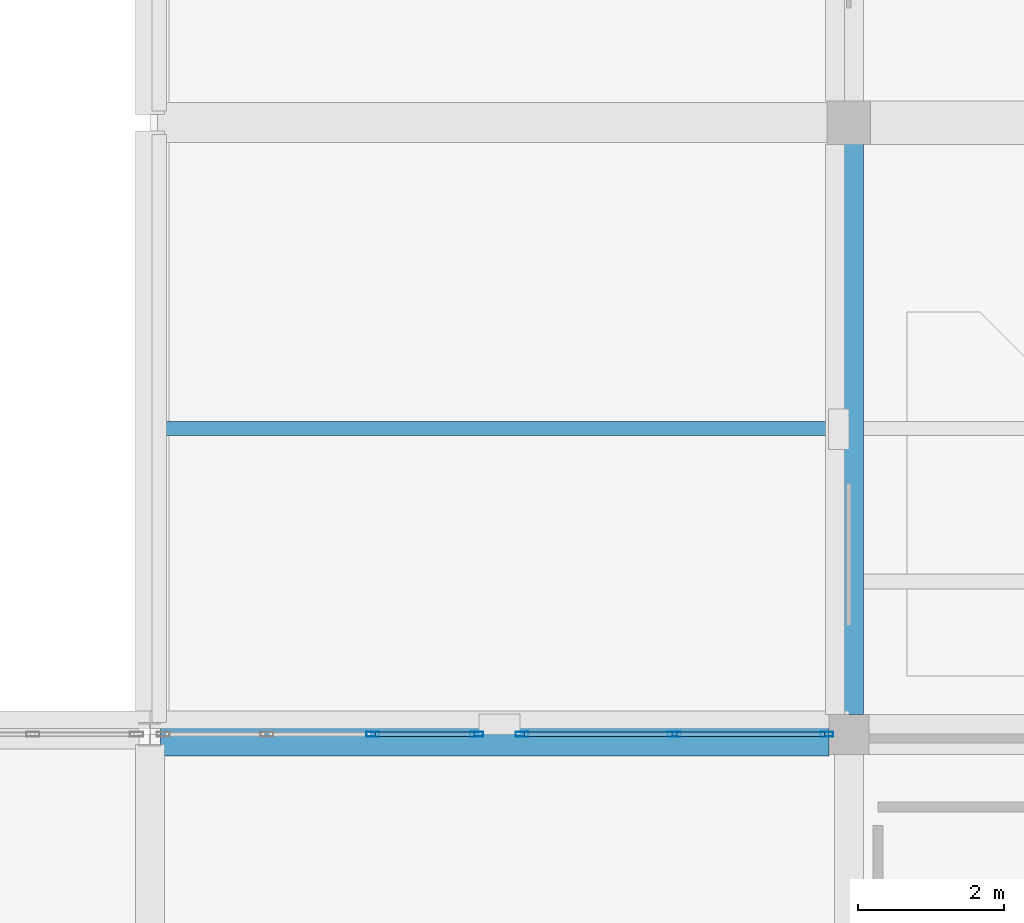
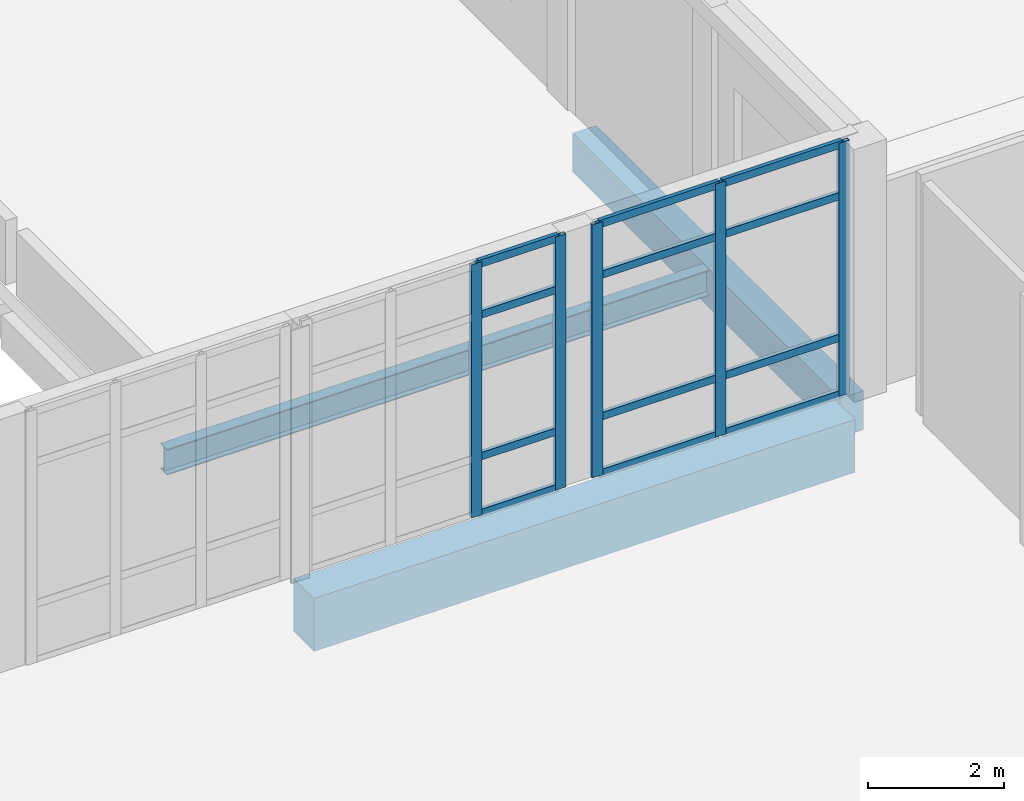
# One storey, part 19 of 88: 17 members, 3 beams, 2 elements without a shape of their own.
"""IFC4 building model written with IfcOpenShell, lengths in metres."""

from ifc_helpers import new_model, si_unit, direction, frame, origin, origin_2d, place, context, subcontext, project, spatial, rectangle, hollow_rectangle, i_section, extrude, material, layer, layer_set, material_profile, profile_set, type_object, element, aggregate, save


model = new_model("IFC4")

# Units and contexts
model_context = context("Model", 3, precision=1e-05, world=origin(), true_north=direction((0.0, 1.0)))
body_context = subcontext(model_context, "Body", "Model", "MODEL_VIEW")
ifc_project = project(units=[si_unit("LENGTHUNIT", "METRE"), si_unit("AREAUNIT", "SQUARE_METRE"), si_unit("VOLUMEUNIT", "CUBIC_METRE"), si_unit("PLANEANGLEUNIT", "RADIAN"), si_unit("MASSUNIT", "GRAM", prefix="KILO")], contexts=[model_context])

# Site, building, storey
site_placement = place(None, origin())
site = spatial("IfcSite", under=ifc_project, at=site_placement, CompositionType="ELEMENT")
building_placement = place(site_placement, origin())
building = spatial("IfcBuilding", under=site, at=building_placement, Name="Lornevale Opera House", CompositionType="ELEMENT")
storey_placement = place(building_placement, frame((0.0, 0.0, 10.199951171875)))
storey = spatial("IfcBuildingStorey", under=building, at=storey_placement, Name="L03", CompositionType="ELEMENT", Elevation=10.199951171875)

# Beams
ifc_material_1 = material(Name="Concrete 35 MPa (CSA A23.1 N)", Category="concrete")
ifc_material_profile_1 = material_profile(ifc_material_1, rectangle(XDim=0.39990234375, YDim=0.699951171875, at=origin_2d()), Name="RC400x700")
ifc_profile_set_1 = profile_set([ifc_material_profile_1], Name="Concrete 35 MPa (CSA A23.1 N)")
beam_type_1 = type_object("IfcBeamType", Name="Concrete Floor Beam 400x700", PredefinedType="USERDEFINED", material=ifc_profile_set_1)
beam_1_placement = place(storey_placement, frame((38.39990234375, 25.47509765625, -0.639892578125), z_axis=(0.0, 1.0, 0.0), x_axis=(-1.0, 0.0, 0.0)))
element("IfcBeam", 1, at=beam_1_placement, inside=storey, type_object=beam_type_1, Name="Concrete Floor Beam 400x700 2260", ObjectType="GIRDER", PredefinedType="USERDEFINED", context=body_context, shape_type="SweptSolid", body=[
    extrude(rectangle(XDim=0.39990234375, YDim=0.699951171875, at=origin_2d()), origin(), (0.0, 0.0, 1.0), 7.849853515625),
])
ifc_material_profile_2 = material_profile(ifc_material_1, rectangle(XDim=0.60009765625, YDim=0.949951171875, at=origin_2d()), Name="RC600x950")
ifc_profile_set_2 = profile_set([ifc_material_profile_2], Name="Concrete 35 MPa (CSA A23.1 N)")
beam_type_2 = type_object("IfcBeamType", Name="Concrete Primary Girder 600x950", PredefinedType="USERDEFINED", material=ifc_profile_set_2)
beam_2_placement = place(storey_placement, frame((28.947021484375, 25.199951171875, -0.764892578125), z_axis=(1.0, 0.0, 0.0), x_axis=(0.0, 1.0, 0.0)))
element("IfcBeam", 2, at=beam_2_placement, inside=storey, type_object=beam_type_2, Name="Concrete Primary Girder 600x950 2107", ObjectType="GIRDER", PredefinedType="USERDEFINED", context=body_context, shape_type="SweptSolid", body=[
    extrude(rectangle(XDim=0.60009765625, YDim=0.949951171875, at=origin_2d()), origin(), (0.0, 0.0, 1.0), 9.177978515625),
])

# Curtain wall, members
ifc_material_2 = material(Name="Anodized Oxide-Green Aluminium Framing", Category="aluminium")
ifc_layer = layer(ifc_material_2, 0.175048828125)
ifc_layer_set = layer_set([ifc_layer], Name="Anodized Oxide-Green Aluminium Framing")
curtain_wall_type = type_object("IfcCurtainWallType", Name="Chamber Cloister Curtain Wall M1700", PredefinedType="NOTDEFINED", material=ifc_layer_set)
curtain_wall_1_placement = place(storey_placement, origin())
curtain_wall_1 = element("IfcCurtainWall", 3, at=curtain_wall_1_placement, inside=storey, type_object=curtain_wall_type, Name="Chamber Cloister Curtain Wall M1700 CW-122", PredefinedType="NOTDEFINED")
ifc_material_profile_3 = material_profile(ifc_material_2, hollow_rectangle(XDim=0.06494140625, YDim=0.179931640625, WallThickness=0.0048828125, at=origin_2d()), Name="ALU65x180x5")
ifc_profile_set_3 = profile_set([ifc_material_profile_3], Name="Anodized Oxide-Green Aluminium Framing")
member_type_1 = type_object("IfcMemberType", Name="Curtain Wall Mullion 65x180", PredefinedType="MULLION", material=ifc_profile_set_3)
member_1_placement = place(storey_placement, frame((31.863525390625, 25.199951171875, 0.0), z_axis=(0.0, 0.0, 1.0), x_axis=(0.0, 1.0, 0.0)))
member_1 = element("IfcMember", 4, at=member_1_placement, type_object=member_type_1, Name="Curtain Wall Mullion 65x180 CW2532", PredefinedType="MULLION", context=body_context, shape_type="SweptSolid", body=[
    extrude(hollow_rectangle(XDim=0.06494140625, YDim=0.179931640625, WallThickness=0.0048828125, at=origin_2d()), origin(), (0.0, 0.0, 1.0), 4.5400390625),
])
member_2_placement = place(storey_placement, frame((33.28759765625, 25.199951171875, 0.0), z_axis=(0.0, 0.0, 1.0), x_axis=(0.0, 1.0, 0.0)))
member_2 = element("IfcMember", 5, at=member_2_placement, type_object=member_type_1, Name="Curtain Wall Mullion 65x180 CW2533", PredefinedType="MULLION", context=body_context, shape_type="SweptSolid", body=[
    extrude(hollow_rectangle(XDim=0.06494140625, YDim=0.179931640625, WallThickness=0.0048828125, at=origin_2d()), origin(), (0.0, 0.0, 1.0), 4.5400390625),
])

curtain_wall_2_placement = place(storey_placement, origin())
curtain_wall_2 = element("IfcCurtainWall", 6, at=curtain_wall_2_placement, inside=storey, type_object=curtain_wall_type, Name="Chamber Cloister Curtain Wall M1700 CW-123", PredefinedType="NOTDEFINED")
member_3_placement = place(storey_placement, frame((33.91259765625, 25.199951171875, 0.0), z_axis=(0.0, 0.0, 1.0), x_axis=(0.0, 1.0, 0.0)))
member_3 = element("IfcMember", 7, at=member_3_placement, type_object=member_type_1, Name="Curtain Wall Mullion 65x180 CW2555", PredefinedType="MULLION", context=body_context, shape_type="SweptSolid", body=[
    extrude(hollow_rectangle(XDim=0.06494140625, YDim=0.179931640625, WallThickness=0.0048828125, at=origin_2d()), origin(), (0.0, 0.0, 1.0), 4.5400390625),
])
member_4_placement = place(storey_placement, frame((36.00439453125, 25.199951171875, 0.0), z_axis=(0.0, 0.0, 1.0), x_axis=(0.0, 1.0, 0.0)))
member_4 = element("IfcMember", 8, at=member_4_placement, type_object=member_type_1, Name="Curtain Wall Mullion 65x180 CW2556", PredefinedType="MULLION", context=body_context, shape_type="SweptSolid", body=[
    extrude(hollow_rectangle(XDim=0.06494140625, YDim=0.179931640625, WallThickness=0.0048828125, at=origin_2d()), origin(), (0.0, 0.0, 1.0), 4.5400390625),
])
member_5_placement = place(storey_placement, frame((38.096435546875, 25.199951171875, 0.0), z_axis=(0.0, 0.0, 1.0), x_axis=(0.0, 1.0, 0.0)))
member_5 = element("IfcMember", 9, at=member_5_placement, type_object=member_type_1, Name="Curtain Wall Mullion 65x180 CW2557", PredefinedType="MULLION", context=body_context, shape_type="SweptSolid", body=[
    extrude(hollow_rectangle(XDim=0.06494140625, YDim=0.179931640625, WallThickness=0.0048828125, at=origin_2d()), origin(), (0.0, 0.0, 1.0), 4.5400390625),
])

# Member
ifc_material_profile_4 = material_profile(ifc_material_2, hollow_rectangle(XDim=0.06494140625, YDim=0.135009765625, WallThickness=0.00390625, at=origin_2d()), Name="ALU65x135x4")
ifc_profile_set_4 = profile_set([ifc_material_profile_4], Name="Anodized Oxide-Green Aluminium Framing")
member_type_2 = type_object("IfcMemberType", Name="Curtain Wall Transom 65x135", PredefinedType="USERDEFINED", material=ifc_profile_set_4)
member_6_placement = place(storey_placement, frame((31.89599609375, 25.199951171875, 0.032470703125), z_axis=(1.0, 0.0, 0.0), x_axis=(0.0, 1.0, 0.0)))
member_6 = element("IfcMember", 10, at=member_6_placement, type_object=member_type_2, Name="Curtain Wall Transom 65x135 CW2548", ObjectType="TRANSOM", PredefinedType="USERDEFINED", context=body_context, shape_type="SweptSolid", body=[
    extrude(hollow_rectangle(XDim=0.06494140625, YDim=0.135009765625, WallThickness=0.00390625, at=origin_2d()), origin(), (0.0, 0.0, 1.0), 1.35888671875),
])

member_7_placement = place(storey_placement, frame((31.89599609375, 25.199951171875, 1.050048828125), z_axis=(1.0, 0.0, 0.0), x_axis=(0.0, 1.0, 0.0)))
member_7 = element("IfcMember", 11, at=member_7_placement, type_object=member_type_2, Name="Curtain Wall Transom 65x135 CW2549", ObjectType="TRANSOM", PredefinedType="USERDEFINED", context=body_context, shape_type="SweptSolid", body=[
    extrude(hollow_rectangle(XDim=0.06494140625, YDim=0.135009765625, WallThickness=0.00390625, at=origin_2d()), origin(), (0.0, 0.0, 1.0), 1.35888671875),
])

member_8_placement = place(storey_placement, frame((31.89599609375, 25.199951171875, 3.590087890625), z_axis=(1.0, 0.0, 0.0), x_axis=(0.0, 1.0, 0.0)))
member_8 = element("IfcMember", 12, at=member_8_placement, type_object=member_type_2, Name="Curtain Wall Transom 65x135 CW2550", ObjectType="TRANSOM", PredefinedType="USERDEFINED", context=body_context, shape_type="SweptSolid", body=[
    extrude(hollow_rectangle(XDim=0.06494140625, YDim=0.135009765625, WallThickness=0.00390625, at=origin_2d()), origin(), (0.0, 0.0, 1.0), 1.35888671875),
])

member_9_placement = place(storey_placement, frame((31.89599609375, 25.199951171875, 4.507568359375), z_axis=(1.0, 0.0, 0.0), x_axis=(0.0, 1.0, 0.0)))
member_9 = element("IfcMember", 13, at=member_9_placement, type_object=member_type_2, Name="Curtain Wall Transom 65x135 CW2551", ObjectType="TRANSOM", PredefinedType="USERDEFINED", context=body_context, shape_type="SweptSolid", body=[
    extrude(hollow_rectangle(XDim=0.06494140625, YDim=0.135009765625, WallThickness=0.00390625, at=origin_2d()), origin(), (0.0, 0.0, 1.0), 1.35888671875),
])

aggregate(curtain_wall_1, [member_1, member_2, member_6, member_7, member_8, member_9])

member_10_placement = place(storey_placement, frame((33.945068359375, 25.199951171875, 0.032470703125), z_axis=(1.0, 0.0, 0.0), x_axis=(0.0, 1.0, 0.0)))
member_10 = element("IfcMember", 14, at=member_10_placement, type_object=member_type_2, Name="Curtain Wall Transom 65x135 CW2558", ObjectType="TRANSOM", PredefinedType="USERDEFINED", context=body_context, shape_type="SweptSolid", body=[
    extrude(hollow_rectangle(XDim=0.06494140625, YDim=0.135009765625, WallThickness=0.00390625, at=origin_2d()), origin(), (0.0, 0.0, 1.0), 2.02685546875),
])

member_11_placement = place(storey_placement, frame((33.945068359375, 25.199951171875, 1.050048828125), z_axis=(1.0, 0.0, 0.0), x_axis=(0.0, 1.0, 0.0)))
member_11 = element("IfcMember", 15, at=member_11_placement, type_object=member_type_2, Name="Curtain Wall Transom 65x135 CW2559", ObjectType="TRANSOM", PredefinedType="USERDEFINED", context=body_context, shape_type="SweptSolid", body=[
    extrude(hollow_rectangle(XDim=0.06494140625, YDim=0.135009765625, WallThickness=0.00390625, at=origin_2d()), origin(), (0.0, 0.0, 1.0), 2.02685546875),
])

member_12_placement = place(storey_placement, frame((33.945068359375, 25.199951171875, 3.590087890625), z_axis=(1.0, 0.0, 0.0), x_axis=(0.0, 1.0, 0.0)))
member_12 = element("IfcMember", 16, at=member_12_placement, type_object=member_type_2, Name="Curtain Wall Transom 65x135 CW2560", ObjectType="TRANSOM", PredefinedType="USERDEFINED", context=body_context, shape_type="SweptSolid", body=[
    extrude(hollow_rectangle(XDim=0.06494140625, YDim=0.135009765625, WallThickness=0.00390625, at=origin_2d()), origin(), (0.0, 0.0, 1.0), 2.02685546875),
])

member_13_placement = place(storey_placement, frame((33.945068359375, 25.199951171875, 4.507568359375), z_axis=(1.0, 0.0, 0.0), x_axis=(0.0, 1.0, 0.0)))
member_13 = element("IfcMember", 17, at=member_13_placement, type_object=member_type_2, Name="Curtain Wall Transom 65x135 CW2561", ObjectType="TRANSOM", PredefinedType="USERDEFINED", context=body_context, shape_type="SweptSolid", body=[
    extrude(hollow_rectangle(XDim=0.06494140625, YDim=0.135009765625, WallThickness=0.00390625, at=origin_2d()), origin(), (0.0, 0.0, 1.0), 2.02685546875),
])

member_14_placement = place(storey_placement, frame((36.037109375, 25.199951171875, 0.032470703125), z_axis=(1.0, 0.0, 0.0), x_axis=(0.0, 1.0, 0.0)))
member_14 = element("IfcMember", 18, at=member_14_placement, type_object=member_type_2, Name="Curtain Wall Transom 65x135 CW2565", ObjectType="TRANSOM", PredefinedType="USERDEFINED", context=body_context, shape_type="SweptSolid", body=[
    extrude(hollow_rectangle(XDim=0.06494140625, YDim=0.135009765625, WallThickness=0.00390625, at=origin_2d()), origin(), (0.0, 0.0, 1.0), 2.02685546875),
])

member_15_placement = place(storey_placement, frame((36.037109375, 25.199951171875, 1.050048828125), z_axis=(1.0, 0.0, 0.0), x_axis=(0.0, 1.0, 0.0)))
member_15 = element("IfcMember", 19, at=member_15_placement, type_object=member_type_2, Name="Curtain Wall Transom 65x135 CW2566", ObjectType="TRANSOM", PredefinedType="USERDEFINED", context=body_context, shape_type="SweptSolid", body=[
    extrude(hollow_rectangle(XDim=0.06494140625, YDim=0.135009765625, WallThickness=0.00390625, at=origin_2d()), origin(), (0.0, 0.0, 1.0), 2.02685546875),
])

member_16_placement = place(storey_placement, frame((36.037109375, 25.199951171875, 3.590087890625), z_axis=(1.0, 0.0, 0.0), x_axis=(0.0, 1.0, 0.0)))
member_16 = element("IfcMember", 20, at=member_16_placement, type_object=member_type_2, Name="Curtain Wall Transom 65x135 CW2567", ObjectType="TRANSOM", PredefinedType="USERDEFINED", context=body_context, shape_type="SweptSolid", body=[
    extrude(hollow_rectangle(XDim=0.06494140625, YDim=0.135009765625, WallThickness=0.00390625, at=origin_2d()), origin(), (0.0, 0.0, 1.0), 2.02685546875),
])

member_17_placement = place(storey_placement, frame((36.037109375, 25.199951171875, 4.507568359375), z_axis=(1.0, 0.0, 0.0), x_axis=(0.0, 1.0, 0.0)))
member_17 = element("IfcMember", 21, at=member_17_placement, type_object=member_type_2, Name="Curtain Wall Transom 65x135 CW2568", ObjectType="TRANSOM", PredefinedType="USERDEFINED", context=body_context, shape_type="SweptSolid", body=[
    extrude(hollow_rectangle(XDim=0.06494140625, YDim=0.135009765625, WallThickness=0.00390625, at=origin_2d()), origin(), (0.0, 0.0, 1.0), 2.02685546875),
])

aggregate(curtain_wall_2, [member_3, member_4, member_5, member_10, member_11, member_12, member_13, member_14, member_15, member_16, member_17])

# Beam
ifc_material_3 = material(Name="Structural Steel CSA G40.21 Grade 350W (350 MPa)", Category="steel")
ifc_material_profile_5 = material_profile(ifc_material_3, i_section(OverallWidth=0.19189453125, OverallDepth=0.462890625, WebThickness=0.010498046875, FlangeThickness=0.017578125, at=origin_2d()), Name="W460x89")
ifc_profile_set_5 = profile_set([ifc_material_profile_5], Name="Structural Steel CSA G40.21 Grade 350W (350 MPa)")
beam_type_3 = type_object("IfcBeamType", Name="Steel Floor Joist W460x89", PredefinedType="JOIST", material=ifc_profile_set_5)
beam_3_placement = place(storey_placement, frame((29.0, 29.39990234375, -0.536376953125), z_axis=(1.0, 0.0, 0.0), x_axis=(0.0, 1.0, 0.0)))
element("IfcBeam", 22, at=beam_3_placement, inside=storey, type_object=beam_type_3, Name="Steel Floor Joist W460x89 2380", PredefinedType="JOIST", context=body_context, shape_type="SweptSolid", body=[
    extrude(i_section(OverallWidth=0.19189453125, OverallDepth=0.462890625, WebThickness=0.010498046875, FlangeThickness=0.017578125, at=origin_2d()), origin(), (0.0, 0.0, 1.0), 9.199951171875),
])

save(model, "model.ifc")
